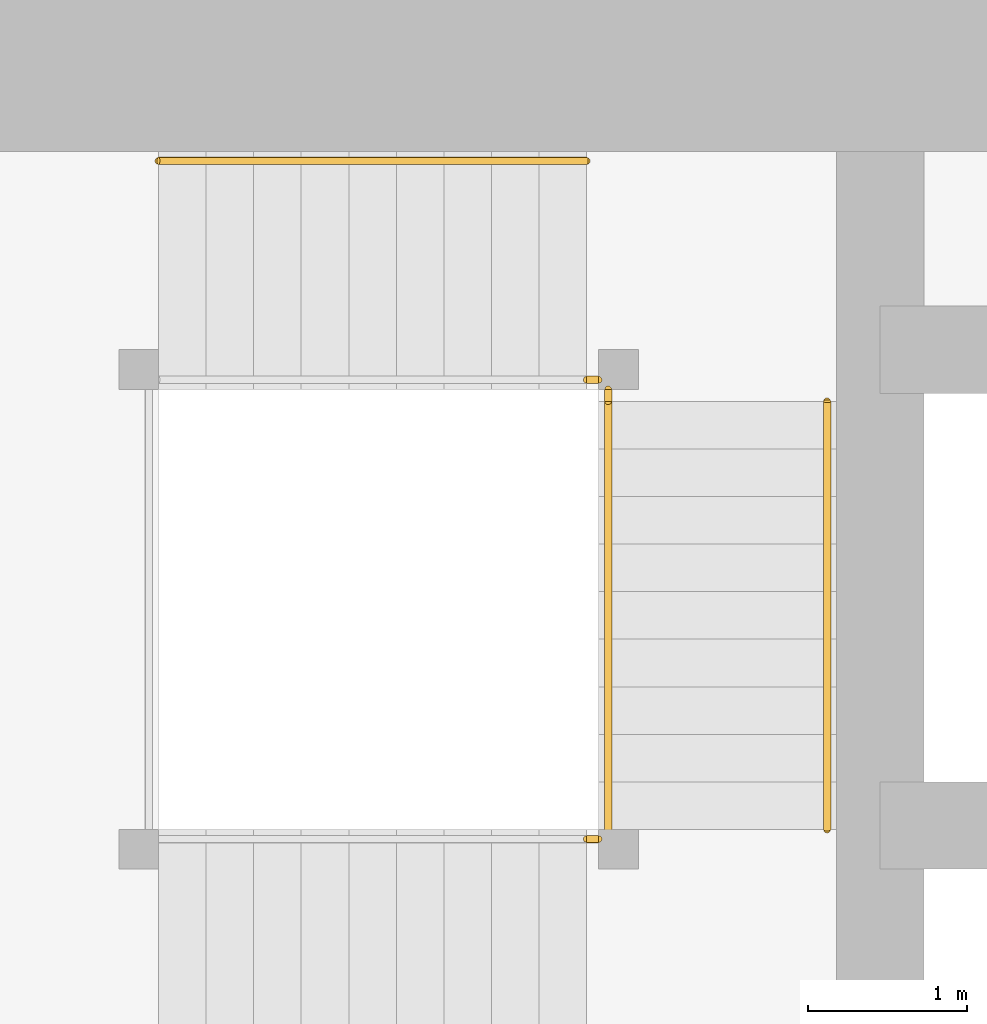
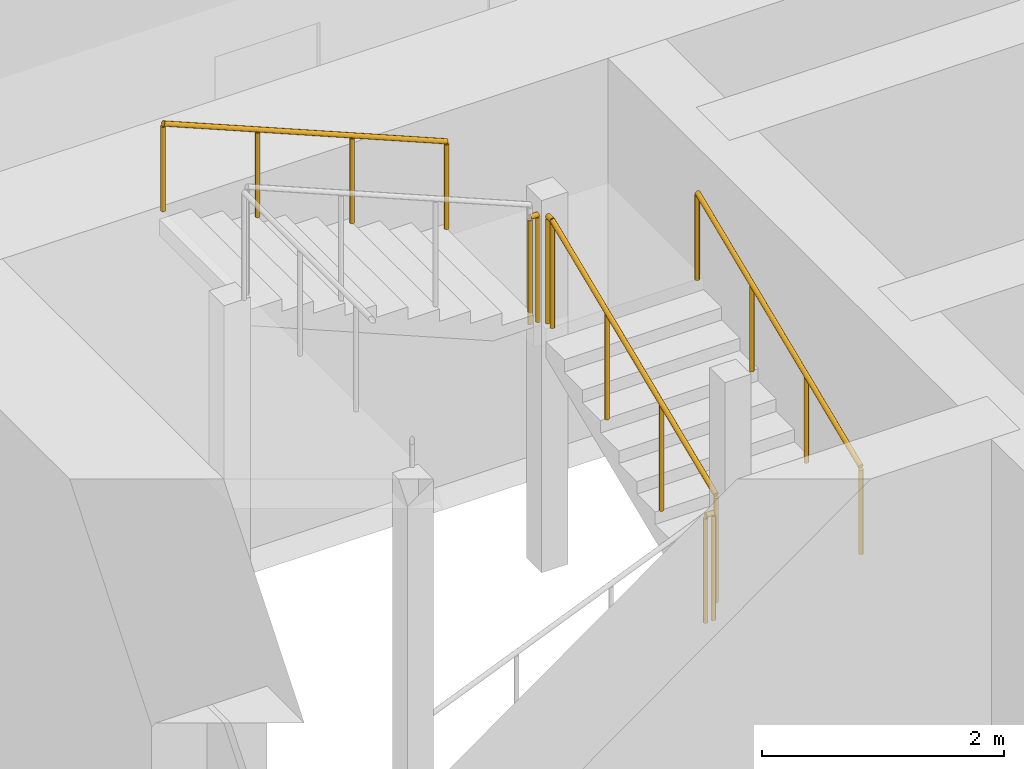
# One storey, part 39 of 42: 6 railings.
"""IFC4 building model written with IfcOpenShell, lengths in metres."""

from ifc_helpers import new_model, si_unit, direction, frame, origin, origin_2d, place, context, subcontext, project, spatial, circle, extrude, material, type_object, element, save


model = new_model("IFC4")

# Units and contexts
model_context = context("Model", 3, precision=1e-05, world=origin(), true_north=direction((0.0, 1.0)))
body_context = subcontext(model_context, "Body", "Model", "MODEL_VIEW")
ifc_project = project(units=[si_unit("LENGTHUNIT", "METRE"), si_unit("AREAUNIT", "SQUARE_METRE"), si_unit("VOLUMEUNIT", "CUBIC_METRE"), si_unit("PLANEANGLEUNIT", "RADIAN"), si_unit("MASSUNIT", "GRAM", prefix="KILO")], contexts=[model_context])

# Site, building, storey
site_placement = place(None, origin())
site = spatial("IfcSite", under=ifc_project, at=site_placement, CompositionType="ELEMENT")
building_placement = place(site_placement, origin())
building = spatial("IfcBuilding", under=site, at=building_placement, Name="Rekha Terrace Tower", CompositionType="ELEMENT")
storey_placement = place(building_placement, frame((0.0, 0.0, 55.39990234375)))
storey = spatial("IfcBuildingStorey", under=building, at=storey_placement, Name="L13", CompositionType="ELEMENT", Elevation=55.39990234375)

# Railings
ifc_material_1 = material(Name="Stainless steel balustrade", Category="steel")
railing_type_1 = type_object("IfcRailingType", Name="GR1 1100 stair guard", PredefinedType="GUARDRAIL", material=ifc_material_1)
railing_1_placement = place(storey_placement, frame((30.0849609375, 41.375, 1.375)))
element("IfcRailing", 1, at=railing_1_placement, inside=storey, type_object=railing_type_1, Name="Guard ST4 L13 flight 2", PredefinedType="GUARDRAIL", context=body_context, shape_type="SweptSolid", body=[
    extrude(circle(Radius=0.02392578125, at=origin_2d()), frame((0.0, 0.0, 1.076171875), z_axis=(0.0, 0.923074453586, 0.384621311341), x_axis=(-1.0, 0.0, 0.0)), (0.0, 0.0, 1.0), 2.925048828125),
    extrude(circle(Radius=0.02099609375, at=origin_2d()), origin(), (0.0, 0.0, 1.0), 1.052001953125),
    extrude(circle(Radius=0.02099609375, at=origin_2d()), frame((0.0, 0.89990234375, 0.375)), (0.0, 0.0, 1.0), 1.052001953125),
    extrude(circle(Radius=0.02099609375, at=origin_2d()), frame((0.0, 1.800048828125, 0.75)), (0.0, 0.0, 1.0), 1.052001953125),
    extrude(circle(Radius=0.02099609375, at=origin_2d()), frame((0.0, 2.699951171875, 1.125)), (0.0, 0.0, 1.0), 1.052001953125),
])
railing_2_placement = place(storey_placement, frame((29.949951171875, 41.31494140625, 1.25)))
element("IfcRailing", 2, at=railing_2_placement, inside=storey, type_object=railing_type_1, Name="Guard ST4 L13 landing 1", PredefinedType="GUARDRAIL", context=body_context, shape_type="SweptSolid", body=[
    extrude(circle(Radius=0.02392578125, at=origin_2d()), frame((0.0, 0.0, 1.076171875), z_axis=(1.0, 0.0, 0.0), x_axis=(0.0, 1.0, 0.0)), (0.0, 0.0, 1.0), 0.074951171875),
    extrude(circle(Radius=0.02099609375, at=origin_2d()), origin(), (0.0, 0.0, 1.0), 1.052001953125),
    extrude(circle(Radius=0.02099609375, at=origin_2d()), frame((0.074951171875, 0.0, 0.0)), (0.0, 0.0, 1.0), 1.052001953125),
])
railing_3_placement = place(storey_placement, frame((30.0849609375, 44.074951171875, 2.5)))
element("IfcRailing", 3, at=railing_3_placement, inside=storey, type_object=railing_type_1, Name="Guard ST4 L13 landing 2", PredefinedType="GUARDRAIL", context=body_context, shape_type="SweptSolid", body=[
    extrude(circle(Radius=0.02392578125, at=origin_2d()), frame((0.0, 0.0, 1.076171875), z_axis=(0.0, 1.0, 0.0), x_axis=(-1.0, 0.0, 0.0)), (0.0, 0.0, 1.0), 0.074951171875),
    extrude(circle(Radius=0.02099609375, at=origin_2d()), origin(), (0.0, 0.0, 1.0), 1.052001953125),
    extrude(circle(Radius=0.02099609375, at=origin_2d()), frame((0.0, 0.074951171875, 0.0)), (0.0, 0.0, 1.0), 1.052001953125),
])
railing_4_placement = place(storey_placement, frame((29.949951171875, 44.2099609375, 2.5)))
element("IfcRailing", 4, at=railing_4_placement, inside=storey, type_object=railing_type_1, Name="Guard ST4 L13 landing 3", PredefinedType="GUARDRAIL", context=body_context, shape_type="SweptSolid", body=[
    extrude(circle(Radius=0.02392578125, at=origin_2d()), frame((0.0, 0.0, 1.076171875), z_axis=(1.0, 0.0, 0.0), x_axis=(0.0, 1.0, 0.0)), (0.0, 0.0, 1.0), 0.074951171875),
    extrude(circle(Radius=0.02099609375, at=origin_2d()), origin(), (0.0, 0.0, 1.0), 1.052001953125),
    extrude(circle(Radius=0.02099609375, at=origin_2d()), frame((0.074951171875, 0.0, 0.0)), (0.0, 0.0, 1.0), 1.052001953125),
])
ifc_material_2 = material(Name="Stainless steel tube", Category="steel")
railing_type_2 = type_object("IfcRailingType", Name="HR1 900 stair handrail", PredefinedType="HANDRAIL", material=ifc_material_2)
railing_5_placement = place(storey_placement, frame((31.465087890625, 41.375, 1.375)))
element("IfcRailing", 5, at=railing_5_placement, inside=storey, type_object=railing_type_2, Name="Handrail ST4 L13 flight 2", PredefinedType="HANDRAIL", context=body_context, shape_type="SweptSolid", body=[
    extrude(circle(Radius=0.02392578125, at=origin_2d()), frame((0.0, 0.0, 0.8759765625), z_axis=(0.0, 0.923074453586, 0.384621311341), x_axis=(-1.0, 0.0, 0.0)), (0.0, 0.0, 1.0), 2.925048828125),
    extrude(circle(Radius=0.02099609375, at=origin_2d()), origin(), (0.0, 0.0, 1.0), 0.851806640625),
    extrude(circle(Radius=0.02099609375, at=origin_2d()), frame((0.0, 0.89990234375, 0.375)), (0.0, 0.0, 1.0), 0.851806640625),
    extrude(circle(Radius=0.02099609375, at=origin_2d()), frame((0.0, 1.800048828125, 0.75)), (0.0, 0.0, 1.0), 0.851806640625),
    extrude(circle(Radius=0.02099609375, at=origin_2d()), frame((0.0, 2.699951171875, 1.125)), (0.0, 0.0, 1.0), 0.851806640625),
])
railing_6_placement = place(storey_placement, frame((29.949951171875, 45.590087890625, 2.625)))
element("IfcRailing", 6, at=railing_6_placement, inside=storey, type_object=railing_type_2, Name="Handrail ST4 L13 flight 3", PredefinedType="HANDRAIL", context=body_context, shape_type="SweptSolid", body=[
    extrude(circle(Radius=0.02392578125, at=origin_2d()), frame((0.0, 0.0, 0.8759765625), z_axis=(-0.923074453586, 0.0, 0.384621311341), x_axis=(0.0, -1.0, 0.0)), (0.0, 0.0, 1.0), 2.925048828125),
    extrude(circle(Radius=0.02099609375, at=origin_2d()), origin(), (0.0, 0.0, 1.0), 0.851806640625),
    extrude(circle(Radius=0.02099609375, at=origin_2d()), frame((-0.89990234375, 0.0, 0.375)), (0.0, 0.0, 1.0), 0.851806640625),
    extrude(circle(Radius=0.02099609375, at=origin_2d()), frame((-1.800048828125, 0.0, 0.75)), (0.0, 0.0, 1.0), 0.851806640625),
    extrude(circle(Radius=0.02099609375, at=origin_2d()), frame((-2.699951171875, 0.0, 1.125)), (0.0, 0.0, 1.0), 0.851806640625),
])

save(model, "model.ifc")
